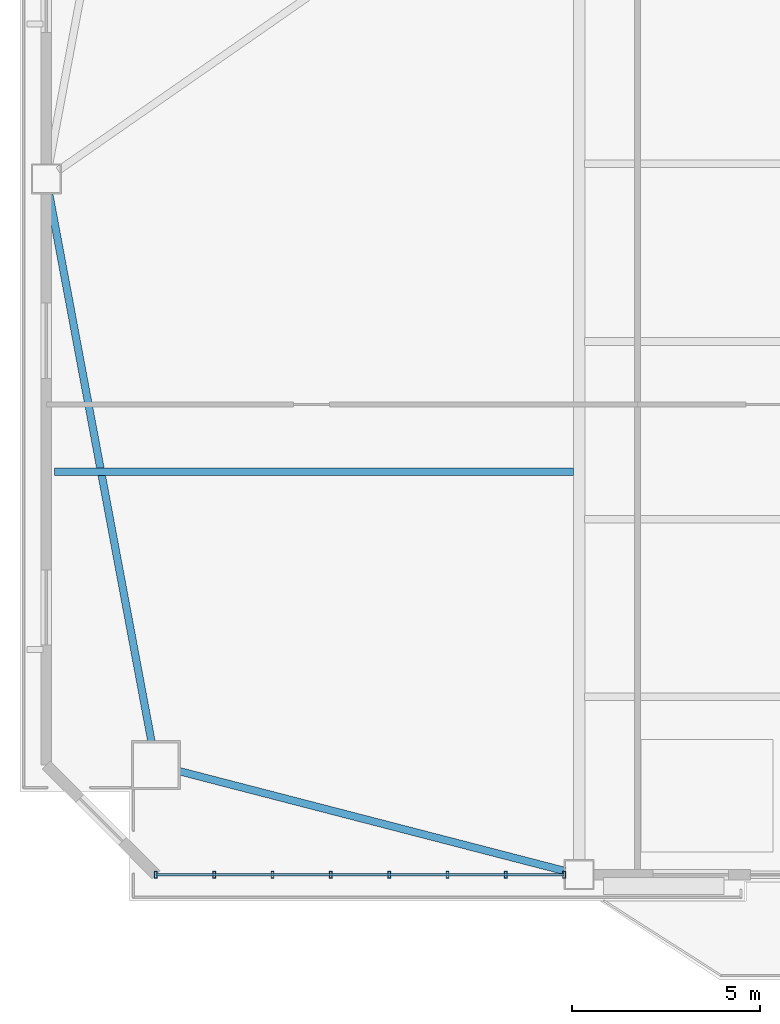
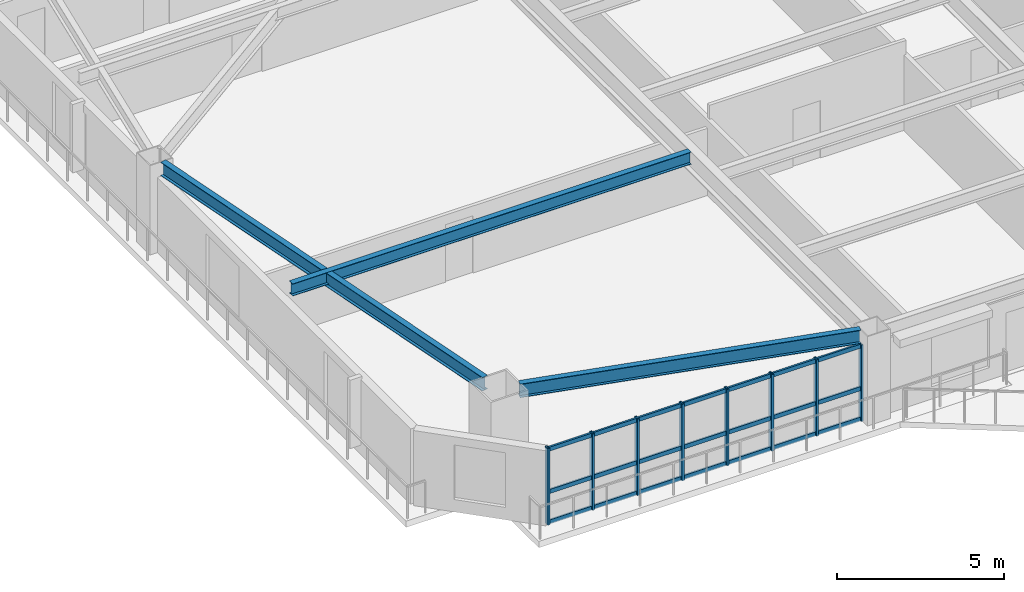
# One storey, part 2 of 16: 11 members, 3 beams, 1 element without a shape of its own.
"""IFC4 building model written with IfcOpenShell, lengths in metres."""

from ifc_helpers import new_model, si_unit, direction, frame, origin, origin_2d, place, context, subcontext, project, spatial, hollow_rectangle, i_section, extrude, source, transform, mapped, material, layer, layer_set, material_profile, profile_set, type_object, element, aggregate, save


model = new_model("IFC4")

# Units and contexts
model_context = context("Model", 3, precision=1e-05, world=origin(), true_north=direction((0.0, 1.0)))
body_context = subcontext(model_context, "Body", "Model", "MODEL_VIEW")
ifc_project = project(units=[si_unit("LENGTHUNIT", "METRE"), si_unit("AREAUNIT", "SQUARE_METRE"), si_unit("VOLUMEUNIT", "CUBIC_METRE"), si_unit("PLANEANGLEUNIT", "RADIAN"), si_unit("MASSUNIT", "GRAM", prefix="KILO")], contexts=[model_context])

# Site, building, storey
site_placement = place(None, origin())
site = spatial("IfcSite", under=ifc_project, at=site_placement, CompositionType="ELEMENT")
building_placement = place(site_placement, origin())
building = spatial("IfcBuilding", under=site, at=building_placement, Name="Giltprow Tower", CompositionType="ELEMENT")
storey_placement = place(building_placement, frame((0.0, 0.0, 159.699951171875)))
storey = spatial("IfcBuildingStorey", under=building, at=storey_placement, Name="L39", CompositionType="ELEMENT", Elevation=159.699951171875)

# Beams
ifc_material_1 = material(Name="Structural steel Q355B", Category="steel")
ifc_material_profile_1 = material_profile(ifc_material_1, i_section(OverallWidth=0.199951171875, OverallDepth=0.5, WebThickness=0.010009765625, FlangeThickness=0.01611328125, at=origin_2d()), Name="HN 500x200x10x16")
ifc_profile_set_1 = profile_set([ifc_material_profile_1], Name="Structural steel Q355B")
beam_type_1 = type_object("IfcBeamType", Name="BM-SPAN-HN500", PredefinedType="SPANDREL", material=ifc_profile_set_1)
shared_shape_1 = source(origin(), body_context, "Body", "SweptSolid", [
    extrude(i_section(OverallWidth=0.199951171875, OverallDepth=0.5, WebThickness=0.010009765625, FlangeThickness=0.01611328125, at=origin_2d()), origin(), (0.0, 0.0, 1.0), 10.603759765625),
])
beam_1_placement = place(storey_placement, frame((9.2119140625, 11.85205078125, 3.02001953125), z_axis=(0.968074122334, -0.250664105262, 0.0), x_axis=(0.250664105262, 0.968074122334, 0.0)))
element("IfcBeam", 1, at=beam_1_placement, inside=storey, type_object=beam_type_1, Name="L39 Perimeter Spandrel Beam MC_SW-S1", PredefinedType="SPANDREL", context=body_context, shape_type="MappedRepresentation", body=[
    mapped(shared_shape_1, transform((0.0, 0.0, 0.0), x_axis=(1.0, 0.0, 0.0), y_axis=(0.0, 1.0, 0.0), z_axis=(0.0, 0.0, 1.0), scale=1.0)),
])
shared_shape_2 = source(origin(), body_context, "Body", "SweptSolid", [
    extrude(i_section(OverallWidth=0.199951171875, OverallDepth=0.5, WebThickness=0.010009765625, FlangeThickness=0.01611328125, at=origin_2d()), origin(), (0.0, 0.0, 1.0), 14.83837890625),
])
beam_2_placement = place(storey_placement, frame((5.7548828125, 27.220947265625, 3.02001953125), z_axis=(0.183652712761, -0.982991190752, 0.0), x_axis=(0.982991190752, 0.183652712761, 0.0)))
element("IfcBeam", 2, at=beam_2_placement, inside=storey, type_object=beam_type_1, Name="L39 Perimeter Spandrel Beam W_MID-MC_SW", PredefinedType="SPANDREL", context=body_context, shape_type="MappedRepresentation", body=[
    mapped(shared_shape_2, transform((0.0, 0.0, 0.0), x_axis=(1.0, 0.0, 0.0), y_axis=(0.0, 1.0, 0.0), z_axis=(0.0, 0.0, 1.0), scale=1.0)),
])
ifc_material_profile_2 = material_profile(ifc_material_1, i_section(OverallWidth=0.199951171875, OverallDepth=0.449951171875, WebThickness=0.009033203125, FlangeThickness=0.013916015625, at=origin_2d()), Name="HN 450x200x9x14")
ifc_profile_set_2 = profile_set([ifc_material_profile_2], Name="Structural steel Q355B")
beam_type_2 = type_object("IfcBeamType", Name="BM-JOIST-HN450", PredefinedType="JOIST", material=ifc_profile_set_2)
shared_shape_3 = source(origin(), body_context, "Body", "SweptSolid", [
    extrude(i_section(OverallWidth=0.199951171875, OverallDepth=0.449951171875, WebThickness=0.009033203125, FlangeThickness=0.013916015625, at=origin_2d()), origin(), (0.0, 0.0, 1.0), 13.801025390625),
])
beam_3_placement = place(storey_placement, frame((5.904052734375, 19.804931640625, 3.045166015625), z_axis=(1.0, 0.0, 0.0), x_axis=(0.0, 1.0, 0.0)))
element("IfcBeam", 3, at=beam_3_placement, inside=storey, type_object=beam_type_2, Name="L39 West Wing Floor Joist 1", PredefinedType="JOIST", context=body_context, shape_type="MappedRepresentation", body=[
    mapped(shared_shape_3, transform((0.0, 0.0, 0.0), x_axis=(1.0, 0.0, 0.0), y_axis=(0.0, 1.0, 0.0), z_axis=(0.0, 0.0, 1.0), scale=1.0)),
])

# Curtain wall, members
ifc_material_2 = material(Name="Anodized bronze", Category="metal")
ifc_layer = layer(ifc_material_2, 0.179931640625, Name="Anodized bronze")
ifc_layer_set = layer_set([ifc_layer], Name="Anodized bronze")
curtain_wall_type = type_object("IfcCurtainWallType", Name="CW-HTL-BRONZE", PredefinedType="NOTDEFINED", material=ifc_layer_set)
curtain_wall_placement = place(storey_placement, origin())
curtain_wall = element("IfcCurtainWall", 4, at=curtain_wall_placement, inside=storey, type_object=curtain_wall_type, Name="L39 South Recessed Curtain Wall 1", PredefinedType="NOTDEFINED")
ifc_material_profile_3 = material_profile(ifc_material_2, hollow_rectangle(XDim=0.074951171875, YDim=0.179931640625, WallThickness=0.008056640625, at=origin_2d()), Name="RHS 180x75x8")
ifc_profile_set_3 = profile_set([ifc_material_profile_3], Name="Anodized bronze")
member_type_1 = type_object("IfcMemberType", Name="CW-MULLION-180x75", PredefinedType="MULLION", material=ifc_profile_set_3)
shared_shape_4 = source(origin(), body_context, "Body", "SweptSolid", [
    extrude(hollow_rectangle(XDim=0.074951171875, YDim=0.179931640625, WallThickness=0.008056640625, at=origin_2d()), origin(), (0.0, 0.0, 1.0), 2.80517578125),
])
member_1_placement = place(storey_placement, frame((8.596923828125, 9.097900390625, -0.02001953125), z_axis=(0.0, 0.0, 1.0), x_axis=(1.0, 0.0, 0.0)))
member_1 = element("IfcMember", 5, at=member_1_placement, type_object=member_type_1, Name="L39 South Recessed Curtain Wall 1 Mullion 1", PredefinedType="MULLION", context=body_context, shape_type="MappedRepresentation", body=[
    mapped(shared_shape_4, transform((0.0, 0.0, 0.0), x_axis=(1.0, 0.0, 0.0), y_axis=(0.0, 1.0, 0.0), z_axis=(0.0, 0.0, 1.0), scale=1.0)),
])
member_2_placement = place(storey_placement, frame((10.14697265625, 9.097900390625, -0.02001953125), z_axis=(0.0, 0.0, 1.0), x_axis=(1.0, 0.0, 0.0)))
member_2 = element("IfcMember", 6, at=member_2_placement, type_object=member_type_1, Name="L39 South Recessed Curtain Wall 1 Mullion 2", PredefinedType="MULLION", context=body_context, shape_type="MappedRepresentation", body=[
    mapped(shared_shape_4, transform((0.0, 0.0, 0.0), x_axis=(1.0, 0.0, 0.0), y_axis=(0.0, 1.0, 0.0), z_axis=(0.0, 0.0, 1.0), scale=1.0)),
])
member_3_placement = place(storey_placement, frame((11.697998046875, 9.097900390625, -0.02001953125), z_axis=(0.0, 0.0, 1.0), x_axis=(1.0, 0.0, 0.0)))
member_3 = element("IfcMember", 7, at=member_3_placement, type_object=member_type_1, Name="L39 South Recessed Curtain Wall 1 Mullion 3", PredefinedType="MULLION", context=body_context, shape_type="MappedRepresentation", body=[
    mapped(shared_shape_4, transform((0.0, 0.0, 0.0), x_axis=(1.0, 0.0, 0.0), y_axis=(0.0, 1.0, 0.0), z_axis=(0.0, 0.0, 1.0), scale=1.0)),
])
member_4_placement = place(storey_placement, frame((13.248046875, 9.097900390625, -0.02001953125), z_axis=(0.0, 0.0, 1.0), x_axis=(1.0, 0.0, 0.0)))
member_4 = element("IfcMember", 8, at=member_4_placement, type_object=member_type_1, Name="L39 South Recessed Curtain Wall 1 Mullion 4", PredefinedType="MULLION", context=body_context, shape_type="MappedRepresentation", body=[
    mapped(shared_shape_4, transform((0.0, 0.0, 0.0), x_axis=(1.0, 0.0, 0.0), y_axis=(0.0, 1.0, 0.0), z_axis=(0.0, 0.0, 1.0), scale=1.0)),
])
member_5_placement = place(storey_placement, frame((14.799072265625, 9.097900390625, -0.02001953125), z_axis=(0.0, 0.0, 1.0), x_axis=(1.0, 0.0, 0.0)))
member_5 = element("IfcMember", 9, at=member_5_placement, type_object=member_type_1, Name="L39 South Recessed Curtain Wall 1 Mullion 5", PredefinedType="MULLION", context=body_context, shape_type="MappedRepresentation", body=[
    mapped(shared_shape_4, transform((0.0, 0.0, 0.0), x_axis=(1.0, 0.0, 0.0), y_axis=(0.0, 1.0, 0.0), z_axis=(0.0, 0.0, 1.0), scale=1.0)),
])
member_6_placement = place(storey_placement, frame((16.34912109375, 9.097900390625, -0.02001953125), z_axis=(0.0, 0.0, 1.0), x_axis=(1.0, 0.0, 0.0)))
member_6 = element("IfcMember", 10, at=member_6_placement, type_object=member_type_1, Name="L39 South Recessed Curtain Wall 1 Mullion 6", PredefinedType="MULLION", context=body_context, shape_type="MappedRepresentation", body=[
    mapped(shared_shape_4, transform((0.0, 0.0, 0.0), x_axis=(1.0, 0.0, 0.0), y_axis=(0.0, 1.0, 0.0), z_axis=(0.0, 0.0, 1.0), scale=1.0)),
])
member_7_placement = place(storey_placement, frame((17.89990234375, 9.097900390625, -0.02001953125), z_axis=(0.0, 0.0, 1.0), x_axis=(1.0, 0.0, 0.0)))
member_7 = element("IfcMember", 11, at=member_7_placement, type_object=member_type_1, Name="L39 South Recessed Curtain Wall 1 Mullion 7", PredefinedType="MULLION", context=body_context, shape_type="MappedRepresentation", body=[
    mapped(shared_shape_4, transform((0.0, 0.0, 0.0), x_axis=(1.0, 0.0, 0.0), y_axis=(0.0, 1.0, 0.0), z_axis=(0.0, 0.0, 1.0), scale=1.0)),
])
member_8_placement = place(storey_placement, frame((19.449951171875, 9.097900390625, -0.02001953125), z_axis=(0.0, 0.0, 1.0), x_axis=(1.0, 0.0, 0.0)))
member_8 = element("IfcMember", 12, at=member_8_placement, type_object=member_type_1, Name="L39 South Recessed Curtain Wall 1 Mullion 8", PredefinedType="MULLION", context=body_context, shape_type="MappedRepresentation", body=[
    mapped(shared_shape_4, transform((0.0, 0.0, 0.0), x_axis=(1.0, 0.0, 0.0), y_axis=(0.0, 1.0, 0.0), z_axis=(0.0, 0.0, 1.0), scale=1.0)),
])
ifc_material_profile_4 = material_profile(ifc_material_2, hollow_rectangle(XDim=0.06494140625, YDim=0.14990234375, WallThickness=0.006103515625, at=origin_2d()), Name="RHS 150x65x6")
ifc_profile_set_4 = profile_set([ifc_material_profile_4], Name="Anodized bronze")
member_type_2 = type_object("IfcMemberType", Name="CW-TRANSOM-150x65", PredefinedType="USERDEFINED", material=ifc_profile_set_4)
shared_shape_5 = source(origin(), body_context, "Body", "SweptSolid", [
    extrude(hollow_rectangle(XDim=0.06494140625, YDim=0.14990234375, WallThickness=0.006103515625, at=origin_2d()), origin(), (0.0, 0.0, 1.0), 10.85302734375),
])
member_9_placement = place(storey_placement, frame((8.596923828125, 9.097900390625, 0.0400390625), z_axis=(1.0, 0.0, 0.0), x_axis=(0.0, 1.0, 0.0)))
member_9 = element("IfcMember", 13, at=member_9_placement, type_object=member_type_2, Name="L39 South Recessed Curtain Wall 1 Transom 1", ObjectType="TRANSOM", PredefinedType="USERDEFINED", context=body_context, shape_type="MappedRepresentation", body=[
    mapped(shared_shape_5, transform((0.0, 0.0, 0.0), x_axis=(1.0, 0.0, 0.0), y_axis=(0.0, 1.0, 0.0), z_axis=(0.0, 0.0, 1.0), scale=1.0)),
])
member_10_placement = place(storey_placement, frame((8.596923828125, 9.097900390625, 1.155029296875), z_axis=(1.0, 0.0, 0.0), x_axis=(0.0, 1.0, 0.0)))
member_10 = element("IfcMember", 14, at=member_10_placement, type_object=member_type_2, Name="L39 South Recessed Curtain Wall 1 Transom 2", ObjectType="TRANSOM", PredefinedType="USERDEFINED", context=body_context, shape_type="MappedRepresentation", body=[
    mapped(shared_shape_5, transform((0.0, 0.0, 0.0), x_axis=(1.0, 0.0, 0.0), y_axis=(0.0, 1.0, 0.0), z_axis=(0.0, 0.0, 1.0), scale=1.0)),
])
member_11_placement = place(storey_placement, frame((8.596923828125, 9.097900390625, 2.7099609375), z_axis=(1.0, 0.0, 0.0), x_axis=(0.0, 1.0, 0.0)))
member_11 = element("IfcMember", 15, at=member_11_placement, type_object=member_type_2, Name="L39 South Recessed Curtain Wall 1 Transom 3", ObjectType="TRANSOM", PredefinedType="USERDEFINED", context=body_context, shape_type="MappedRepresentation", body=[
    mapped(shared_shape_5, transform((0.0, 0.0, 0.0), x_axis=(1.0, 0.0, 0.0), y_axis=(0.0, 1.0, 0.0), z_axis=(0.0, 0.0, 1.0), scale=1.0)),
])
aggregate(curtain_wall, [member_1, member_2, member_3, member_4, member_5, member_6, member_7, member_8, member_9, member_10, member_11])

save(model, "model.ifc")
